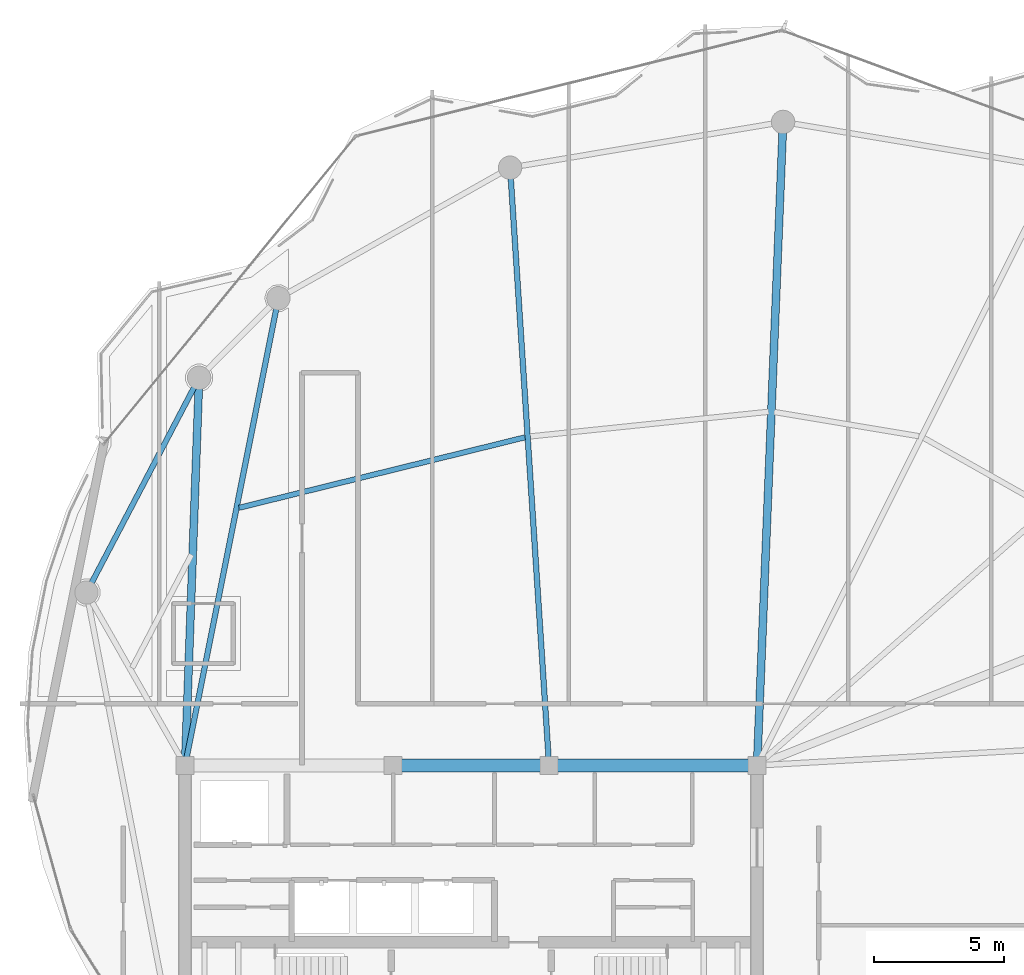
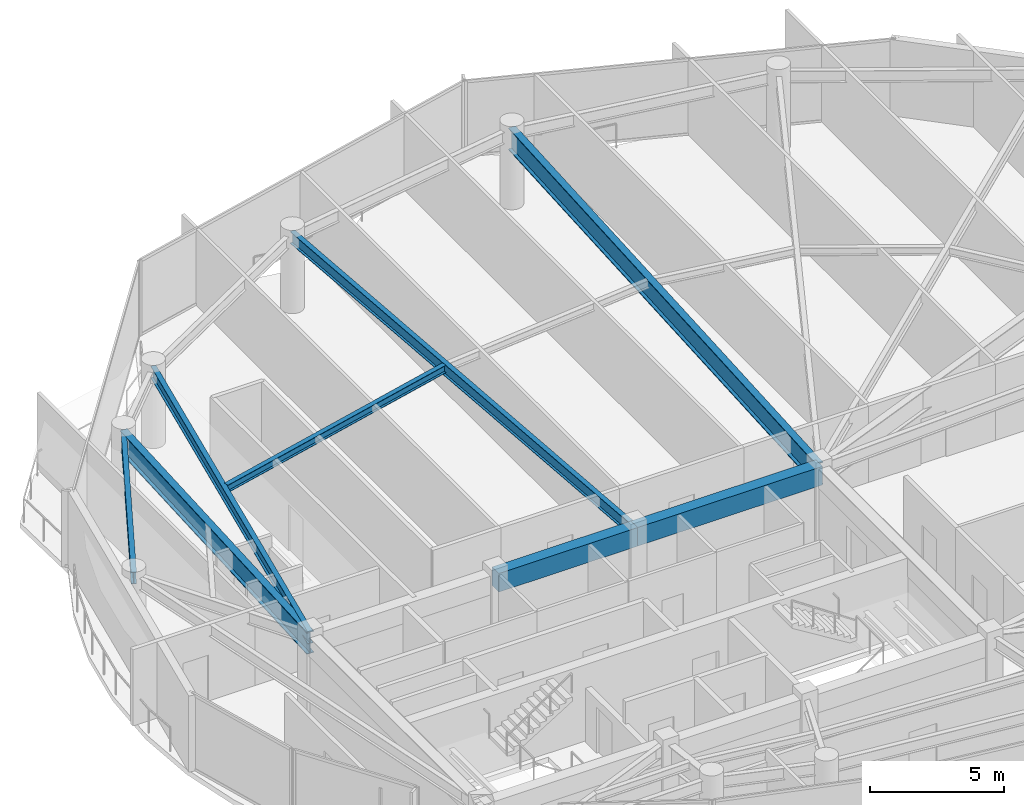
# One storey, part 10 of 29: 8 beams.
"""IFC4 building model written with IfcOpenShell, lengths in metres."""

import ifcopenshell
import ifcopenshell.guid

model = None  # the IFC model being written
_history = None  # IfcOwnerHistory: only IFC2X3 demands one
_inside = {}  # id of a spatial element -> (the spatial element, [elements in it])
_under = {}  # id of a project, library or spatial element -> (it, [spatial elements below it])
_declared = {}  # id of a project -> (the project, [libraries it declares])
_typed = {}  # id of a type object -> (the type object, [elements of that type])
_made_of = {}  # id of a material, layer set ... -> (it, [elements and type objects made of it])


def new_model(schema):
    """Start an empty IFC model of exactly this schema.

    Asked for "IFC4X3", IfcOpenShell would pick the latest addendum, in which some entities
    have other attributes; the version numbers below select the first issue.
    IFC2X3 requires an IfcOwnerHistory on every rooted entity: one is made here for all.
    """
    global model, _history
    if schema == "IFC4X3":
        model = ifcopenshell.file(schema_version=(4, 3, 0, 0))
    else:
        model = ifcopenshell.file(schema=schema)
    _inside.clear()
    _under.clear()
    _declared.clear()
    _typed.clear()
    _made_of.clear()
    _history = None
    if model.schema == "IFC2X3":
        org = make("IfcOrganization", Name="unknown")
        user = make(
            "IfcPersonAndOrganization",
            ThePerson=make("IfcPerson", FamilyName="unknown"),
            TheOrganization=org,
        )
        app = make(
            "IfcApplication",
            ApplicationDeveloper=org,
            Version="unknown",
            ApplicationFullName="unknown",
            ApplicationIdentifier="unknown",
        )
        _history = make(
            "IfcOwnerHistory",
            OwningUser=user,
            OwningApplication=app,
            ChangeAction="ADDED",
            CreationDate=0,
        )
    return model


def make(cls, **values):
    """One entity of the class cls with the attributes given. An attribute that is None is left unset."""
    return model.create_entity(
        cls, **{name: value for name, value in values.items() if value is not None}
    )


def rooted(cls, **values):
    """An entity with a GlobalId (a new one), such as an element, a storey or a relation."""
    return make(cls, GlobalId=ifcopenshell.guid.new(), OwnerHistory=_history, **values)


def si_unit(unit_type, name, prefix=None):
    """IfcSIUnit, for example si_unit("LENGTHUNIT", "METRE", prefix="MILLI")."""
    return make("IfcSIUnit", UnitType=unit_type, Prefix=prefix, Name=name)


def assignment(units):
    """IfcUnitAssignment: the units of a project."""
    return None if units is None else make("IfcUnitAssignment", Units=units)


def point(xyz):
    """IfcCartesianPoint."""
    return None if xyz is None else make("IfcCartesianPoint", Coordinates=xyz)


def direction(xyz):
    """IfcDirection."""
    return None if xyz is None else make("IfcDirection", DirectionRatios=xyz)


def frame(location, z_axis=None, x_axis=None):
    """IfcAxis2Placement3D, a coordinate frame: its origin and axes. An axis left out is left unset."""
    return make(
        "IfcAxis2Placement3D",
        Location=point(location),
        Axis=direction(z_axis),
        RefDirection=direction(x_axis),
    )


def frame_2d(location, x_axis=None):
    """IfcAxis2Placement2D, a coordinate frame in the plane: its origin and x axis."""
    return make(
        "IfcAxis2Placement2D", Location=point(location), RefDirection=direction(x_axis)
    )


def origin():
    """The frame at (0, 0, 0) with its axes left unset."""
    return frame((0.0, 0.0, 0.0))


def origin_2d():
    """The frame at (0, 0) in the plane with its x axis left unset."""
    return frame_2d((0.0, 0.0))


def place(relative_to, where):
    """IfcLocalPlacement: puts the frame where relative to a parent placement (None: the world)."""
    return make(
        "IfcLocalPlacement", PlacementRelTo=relative_to, RelativePlacement=where
    )


def context(
    kind, dimensions, precision=None, world=None, true_north=None, identifier=None
):
    """IfcGeometricRepresentationContext, for example the 3D "Model" context."""
    return make(
        "IfcGeometricRepresentationContext",
        ContextIdentifier=identifier,
        ContextType=kind,
        CoordinateSpaceDimension=dimensions,
        Precision=precision,
        WorldCoordinateSystem=world,
        TrueNorth=true_north,
    )


def subcontext(parent, identifier, kind, view, scale=None):
    """IfcGeometricRepresentationSubContext, for example "Body" below "Model"."""
    return make(
        "IfcGeometricRepresentationSubContext",
        ContextIdentifier=identifier,
        ContextType=kind,
        ParentContext=parent,
        TargetScale=scale,
        TargetView=view,
    )


def project(units=None, contexts=None):
    """IfcProject with its units and contexts."""
    return rooted(
        "IfcProject",
        Name="project",
        RepresentationContexts=contexts,
        UnitsInContext=assignment(units),
    )


def spatial(cls, under=None, at=None, **own):
    """A site, building, storey or space (cls), placed at a placement, below another one or the project."""
    s = rooted(cls, ObjectPlacement=at, **own)
    if under is not None:
        _under.setdefault(under.id(), (under, []))[1].append(s)
    return s


def profile(cls, at=None, kind="AREA", **sizes):
    """A parametric profile (cls). Its sizes go by their IFC names, for example OverallWidth=200.0."""
    return make(cls, ProfileType=kind, Position=at, **sizes)


def rectangle(**sizes):
    """IfcRectangleProfileDef."""
    return profile("IfcRectangleProfileDef", **sizes)


def i_section(**sizes):
    """IfcIShapeProfileDef."""
    return profile("IfcIShapeProfileDef", **sizes)


def extrude(swept, where, along, depth):
    """IfcExtrudedAreaSolid: the profile swept, set in the frame where, extruded along a direction by depth."""
    return make(
        "IfcExtrudedAreaSolid",
        SweptArea=swept,
        Position=where,
        ExtrudedDirection=direction(along),
        Depth=depth,
    )


def shape(context_of_items, identifier, shape_type, items):
    """IfcShapeRepresentation: the items that make up one representation, for example the "Body"."""
    return make(
        "IfcShapeRepresentation",
        ContextOfItems=context_of_items,
        RepresentationIdentifier=identifier,
        RepresentationType=shape_type,
        Items=items,
    )


def material(Name=None, Category=None):
    """IfcMaterial."""
    return make("IfcMaterial", Name=Name, Category=Category)


def material_profile(
    of_material, cross_section, Name=None, Category=None, Priority=None
):
    """IfcMaterialProfile: a cross section and its material."""
    return make(
        "IfcMaterialProfile",
        Name=Name,
        Material=of_material,
        Profile=cross_section,
        Priority=Priority,
        Category=Category,
    )


def profile_set(profiles, Name=None, composite=None):
    """IfcMaterialProfileSet."""
    return make(
        "IfcMaterialProfileSet",
        Name=Name,
        MaterialProfiles=profiles,
        CompositeProfile=composite,
    )


def made_of(thing, what):
    """Note that an element or type object is made of a material, layer set ...; save() writes the relation."""
    if what is not None:
        _made_of.setdefault(what.id(), (what, []))[1].append(thing)
    return thing


def type_object(cls, material=None, **own):
    """A type object (cls), such as IfcWallType, which elements share."""
    return made_of(rooted(cls, **own), material)


def element(
    cls,
    number,
    at=None,
    inside=None,
    cuts=None,
    type_object=None,
    material=None,
    context=None,
    identifier="Body",
    shape_type=None,
    held_by="IfcProductDefinitionShape",
    body=None,
    shapes=None,
    **own,
):
    """One element of the class cls, such as IfcWall. Its Tag is "e" and its number.

    at: its placement. inside: the storey or other place that contains it. cuts: it is an
    opening in that element (IfcRelVoidsElement). A single representation is given by context,
    identifier, shape_type and body (its items); several are given by shapes. held_by: the class
    of the entity that holds the representations. save() writes the other relations.
    """
    e = rooted(cls, Tag="e%d" % number, ObjectPlacement=at, **own)
    if body is not None:
        shapes = [shape(context, identifier, shape_type, body)]
    if shapes is not None:
        e.Representation = make(held_by, Representations=shapes)
    if inside is not None:
        _inside.setdefault(inside.id(), (inside, []))[1].append(e)
    if cuts is not None:
        rooted(
            "IfcRelVoidsElement", RelatingBuildingElement=cuts, RelatedOpeningElement=e
        )
    if type_object is not None:
        _typed.setdefault(type_object.id(), (type_object, []))[1].append(e)
    return made_of(e, material)


def aggregate(whole, parts):
    """IfcRelAggregates: a whole, such as a stair, and the parts it consists of."""
    return rooted("IfcRelAggregates", RelatingObject=whole, RelatedObjects=parts)


def save(model, path):
    """Write the relations noted so far, then the file.

    IfcRelAggregates (storeys below a building ...), IfcRelContainedInSpatialStructure (elements
    in a storey), IfcRelDefinesByType, IfcRelAssociatesMaterial and IfcRelDeclares: one each for
    every whole, place, type object, material and project.
    """
    for whole, parts in _under.values():
        aggregate(whole, parts)
    for where, things in _inside.values():
        rooted(
            "IfcRelContainedInSpatialStructure",
            RelatedElements=things,
            RelatingStructure=where,
        )
    for kind, things in _typed.values():
        rooted("IfcRelDefinesByType", RelatedObjects=things, RelatingType=kind)
    for what, things in _made_of.values():
        rooted("IfcRelAssociatesMaterial", RelatedObjects=things, RelatingMaterial=what)
    for by, libraries in _declared.values():
        rooted("IfcRelDeclares", RelatingContext=by, RelatedDefinitions=libraries)
    model.write(path)


model = new_model("IFC4")

# Units and contexts
model_context = context("Model", 3, precision=1e-05, world=origin(), true_north=direction((0.0, 1.0)))
body_context = subcontext(model_context, "Body", "Model", "MODEL_VIEW")
ifc_project = project(units=[si_unit("LENGTHUNIT", "METRE"), si_unit("AREAUNIT", "SQUARE_METRE"), si_unit("VOLUMEUNIT", "CUBIC_METRE"), si_unit("PLANEANGLEUNIT", "RADIAN"), si_unit("MASSUNIT", "GRAM", prefix="KILO")], contexts=[model_context])

# Site, building, storey
site_placement = place(None, origin())
site = spatial("IfcSite", under=ifc_project, at=site_placement, CompositionType="ELEMENT")
building_placement = place(site_placement, origin())
building = spatial("IfcBuilding", under=site, at=building_placement, Name="Kazevale Care Tower and Concert Hall", CompositionType="ELEMENT")
storey_placement = place(building_placement, frame((0.0, 0.0, 289.0)))
storey = spatial("IfcBuildingStorey", under=building, at=storey_placement, Name="L76", CompositionType="ELEMENT", Elevation=289.0)

# Beams
ifc_material_1 = material(Name="Concrete C60", Category="concrete")
ifc_material_profile_1 = material_profile(ifc_material_1, rectangle(XDim=0.5, YDim=0.85009765625, at=origin_2d()), Name="RC-B500x850")
ifc_profile_set_1 = profile_set([ifc_material_profile_1], Name="Concrete C60")
beam_type_1 = type_object("IfcBeamType", Name="Core Coupling Beam RC500x850", PredefinedType="LINTEL", material=ifc_profile_set_1)
beam_1_placement = place(storey_placement, frame((44.0, 36.39990234375, 3.054931640625), z_axis=(-1.0, 0.0, 0.0), x_axis=(0.0, -1.0, 0.0)))
element("IfcBeam", 1, at=beam_1_placement, inside=storey, type_object=beam_type_1, Name="beam:L76:coretie:5", PredefinedType="LINTEL", context=body_context, shape_type="SweptSolid", body=[
    extrude(rectangle(XDim=0.5, YDim=0.85009765625, at=origin_2d()), origin(), (0.0, 0.0, 1.0), 8.0),
])
beam_2_placement = place(storey_placement, frame((36.0, 36.39990234375, 3.054931640625), z_axis=(-1.0, 0.0, 0.0), x_axis=(0.0, -1.0, 0.0)))
element("IfcBeam", 2, at=beam_2_placement, inside=storey, type_object=beam_type_1, Name="beam:L76:coretie:6", PredefinedType="LINTEL", context=body_context, shape_type="SweptSolid", body=[
    extrude(rectangle(XDim=0.5, YDim=0.85009765625, at=origin_2d()), origin(), (0.0, 0.0, 1.0), 6.0),
])
ifc_material_2 = material(Name="Steel ASTM A572 Gr 50", Category="steel")
ifc_material_profile_2 = material_profile(ifc_material_2, i_section(OverallWidth=0.300048828125, OverallDepth=1.0, WebThickness=0.02099609375, FlangeThickness=0.035888671875, at=origin_2d()), Name="W1000x371")
ifc_profile_set_2 = profile_set([ifc_material_profile_2], Name="Steel ASTM A572 Gr 50")
beam_type_2 = type_object("IfcBeamType", Name="Crown Radial Girder W1000x371", PredefinedType="BEAM", material=ifc_profile_set_2)
beam_3_placement = place(storey_placement, frame((44.0, 36.39990234375, 2.97998046875), z_axis=(0.040371101203, 0.999184754781, 0.0), x_axis=(-0.999184754781, 0.040371101203, 0.0)))
element("IfcBeam", 3, at=beam_3_placement, inside=storey, type_object=beam_type_2, Name="beam:L76:crowntg:2", PredefinedType="BEAM", context=body_context, shape_type="SweptSolid", body=[
    extrude(i_section(OverallWidth=0.300048828125, OverallDepth=1.0, WebThickness=0.02099609375, FlangeThickness=0.035888671875, at=origin_2d()), origin(), (0.0, 0.0, 1.0), 24.770263671875),
])
beam_4_placement = place(storey_placement, frame((22.0, 36.39990234375, 2.97998046875), z_axis=(0.036195810092, 0.999344716968, 0.0), x_axis=(-0.999344716968, 0.036195810092, 0.0)))
element("IfcBeam", 4, at=beam_4_placement, inside=storey, type_object=beam_type_2, Name="beam:L76:crowntg:3", PredefinedType="BEAM", context=body_context, shape_type="SweptSolid", body=[
    extrude(i_section(OverallWidth=0.300048828125, OverallDepth=1.0, WebThickness=0.02099609375, FlangeThickness=0.035888671875, at=origin_2d()), origin(), (0.0, 0.0, 1.0), 14.919921875),
])
ifc_material_profile_3 = material_profile(ifc_material_2, i_section(OverallWidth=0.2119140625, OverallDepth=0.5439453125, WebThickness=0.01318359375, FlangeThickness=0.021240234375, at=origin_2d()), Name="W530x123")
ifc_profile_set_3 = profile_set([ifc_material_profile_3], Name="Steel ASTM A572 Gr 50")
beam_type_3 = type_object("IfcBeamType", Name="Radial Floor Girder W530x123", PredefinedType="BEAM", material=ifc_profile_set_3)
beam_5_placement = place(storey_placement, frame((36.0, 36.39990234375, 3.2080078125), z_axis=(-0.0651073525, 0.997878265446, 0.0), x_axis=(-0.997878265446, -0.0651073525, 0.0)))
element("IfcBeam", 5, at=beam_5_placement, inside=storey, type_object=beam_type_3, Name="beam:L76:rad:06", PredefinedType="BEAM", context=body_context, shape_type="SweptSolid", body=[
    extrude(i_section(OverallWidth=0.2119140625, OverallDepth=0.5439453125, WebThickness=0.01318359375, FlangeThickness=0.021240234375, at=origin_2d()), origin(), (0.0, 0.0, 1.0), 23.038818359375),
])
beam_6_placement = place(storey_placement, frame((22.0, 36.39990234375, 3.2080078125), z_axis=(0.195908605871, 0.980622158706, 0.0), x_axis=(-0.980622158706, 0.195908605871, 0.0)))
element("IfcBeam", 6, at=beam_6_placement, inside=storey, type_object=beam_type_3, Name="beam:L76:rad:07", PredefinedType="BEAM", context=body_context, shape_type="SweptSolid", body=[
    extrude(i_section(OverallWidth=0.2119140625, OverallDepth=0.5439453125, WebThickness=0.01318359375, FlangeThickness=0.021240234375, at=origin_2d()), origin(), (0.0, 0.0, 1.0), 18.325439453125),
])
ifc_material_profile_4 = material_profile(ifc_material_2, i_section(OverallWidth=0.205078125, OverallDepth=0.35400390625, WebThickness=0.009521484375, FlangeThickness=0.016845703125, at=origin_2d()), Name="W360x79")
ifc_profile_set_4 = profile_set([ifc_material_profile_4], Name="Steel ASTM A572 Gr 50")
beam_type_4 = type_object("IfcBeamType", Name="Secondary Floor Joist W360x79", PredefinedType="JOIST", material=ifc_profile_set_4)
beam_7_placement = place(storey_placement, frame((35.072998046875, 49.01904296875, 3.302978515625), z_axis=(-0.970953581022, -0.239267932452, 0.0), x_axis=(0.239267932452, -0.970953581022, 0.0)))
element("IfcBeam", 7, at=beam_7_placement, inside=storey, type_object=beam_type_4, Name="beam:L76:joist:06", PredefinedType="JOIST", context=body_context, shape_type="SweptSolid", body=[
    extrude(i_section(OverallWidth=0.205078125, OverallDepth=0.35400390625, WebThickness=0.009521484375, FlangeThickness=0.016845703125, at=origin_2d()), origin(), (0.0, 0.0, 1.0), 11.326171875),
])
ifc_material_profile_5 = material_profile(ifc_material_2, i_section(OverallWidth=0.208984375, OverallDepth=0.532958984375, WebThickness=0.01025390625, FlangeThickness=0.015625, at=origin_2d()), Name="W530x92")
ifc_profile_set_5 = profile_set([ifc_material_profile_5], Name="Steel ASTM A572 Gr 50")
beam_type_5 = type_object("IfcBeamType", Name="Upper Ring Beam W530x92", PredefinedType="BEAM", material=ifc_profile_set_5)
beam_8_placement = place(storey_placement, frame((22.5400390625, 51.31005859375, 3.21337890625), z_axis=(-0.464293577914, -0.885681361161, 0.0), x_axis=(0.885681361161, -0.464293577914, 0.0)))
element("IfcBeam", 8, at=beam_8_placement, inside=storey, type_object=beam_type_5, Name="beam:L76:ring:08", PredefinedType="BEAM", context=body_context, shape_type="SweptSolid", body=[
    extrude(i_section(OverallWidth=0.208984375, OverallDepth=0.532958984375, WebThickness=0.01025390625, FlangeThickness=0.015625, at=origin_2d()), origin(), (0.0, 0.0, 1.0), 9.326171875),
])

save(model, "model.ifc")
